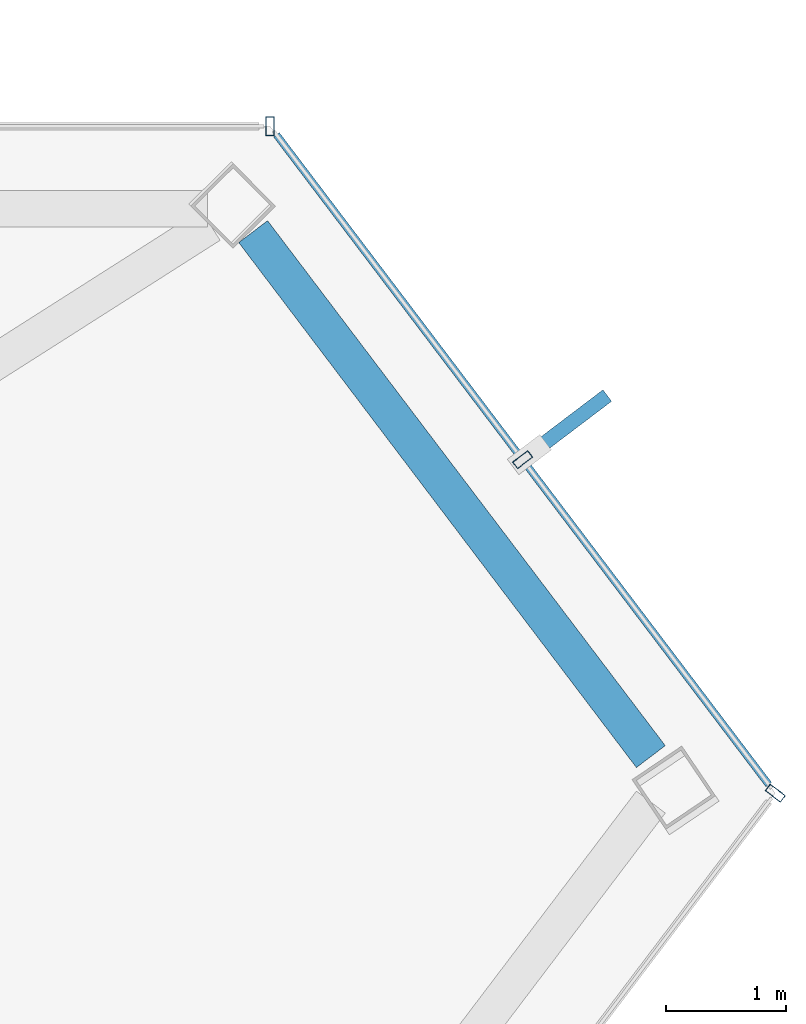
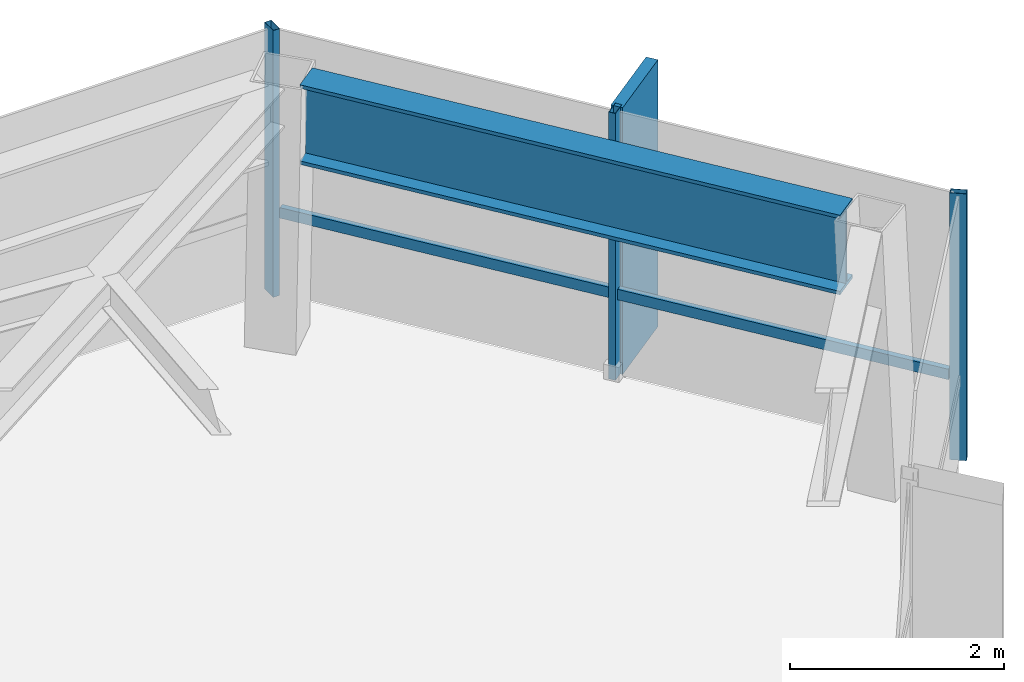
# One storey, part 20 of 24: 5 members, 1 beam, 3 elements without a shape of their own.
"""IFC4 building model written with IfcOpenShell, lengths in metres."""

from ifc_helpers import new_model, si_unit, direction, frame, origin, origin_2d, place, context, subcontext, project, spatial, rectangle, hollow_rectangle, i_section, extrude, material, layer, layer_set, material_profile, profile_set, type_object, element, aggregate, save


model = new_model("IFC4")

# Units and contexts
model_context = context("Model", 3, precision=1e-05, world=origin(), true_north=direction((0.0, 1.0)))
body_context = subcontext(model_context, "Body", "Model", "MODEL_VIEW")
ifc_project = project(units=[si_unit("LENGTHUNIT", "METRE"), si_unit("AREAUNIT", "SQUARE_METRE"), si_unit("VOLUMEUNIT", "CUBIC_METRE"), si_unit("PLANEANGLEUNIT", "RADIAN"), si_unit("MASSUNIT", "GRAM", prefix="KILO")], contexts=[model_context])

# Site, building, storey
site_placement = place(None, origin())
site = spatial("IfcSite", under=ifc_project, at=site_placement, CompositionType="ELEMENT")
building_placement = place(site_placement, origin())
building = spatial("IfcBuilding", under=site, at=building_placement, Name="Zarrinselat Tower", CompositionType="ELEMENT")
storey_placement = place(building_placement, frame((0.0, 0.0, 249.56005859375)))
storey = spatial("IfcBuildingStorey", under=building, at=storey_placement, Name="L63", CompositionType="ELEMENT", Elevation=249.56005859375)

# Beam
ifc_material_1 = material(Name="Steel S460M", Category="steel")
ifc_material_profile_1 = material_profile(ifc_material_1, i_section(OverallWidth=0.302001953125, OverallDepth=0.909912109375, WebThickness=0.02099609375, FlangeThickness=0.0400390625, at=origin_2d()), Name="HEM 900")
ifc_profile_set_1 = profile_set([ifc_material_profile_1], Name="Steel S460M")
beam_type = type_object("IfcBeamType", Name="BM-HEM900", PredefinedType="BEAM", material=ifc_profile_set_1)
beam_placement = place(storey_placement, frame((57.05908203125, 47.06591796875, 2.594970703125), z_axis=(0.603828574263, -0.797114203175, 0.0), x_axis=(0.797114203175, 0.603828574263, 0.0)))
element("IfcBeam", 1, at=beam_placement, inside=storey, type_object=beam_type, Name="L63 Perimeter Spandrel Girder SP15", PredefinedType="BEAM", context=body_context, shape_type="SweptSolid", body=[
    extrude(i_section(OverallWidth=0.302001953125, OverallDepth=0.909912109375, WebThickness=0.02099609375, FlangeThickness=0.0400390625, at=origin_2d()), origin(), (0.0, 0.0, 1.0), 5.489501953125),
])

# Curtain wall, member
ifc_material_2 = material(Name="Extruded Aluminium Alloy EN AW-6063 T6", Category="aluminium")
ifc_layer = layer(ifc_material_2, 0.169921875)
ifc_layer_set = layer_set([ifc_layer], Name="Extruded Aluminium Alloy EN AW-6063 T6")
curtain_wall_type = type_object("IfcCurtainWallType", Name="CWS-RES", PredefinedType="NOTDEFINED", material=ifc_layer_set)
curtain_wall_1_placement = place(storey_placement, origin())
curtain_wall_1 = element("IfcCurtainWall", 2, at=curtain_wall_1_placement, inside=storey, type_object=curtain_wall_type, Name="L63 Unitised Curtain Wall CW-L63-E01", PredefinedType="NOTDEFINED")
ifc_material_3 = material(Name="Extruded Aluminium Alloy EN AW-6063 T6", Category="aluminium")
ifc_material_profile_2 = material_profile(ifc_material_3, hollow_rectangle(XDim=0.070068359375, YDim=0.159912109375, WallThickness=0.00390625, at=origin_2d()), Name="RHS 160x70x4")
ifc_profile_set_2 = profile_set([ifc_material_profile_2], Name="Extruded Aluminium Alloy EN AW-6063 T6")
member_type_1 = type_object("IfcMemberType", Name="MEM-CW-MUL2", PredefinedType="MULLION", material=ifc_profile_set_2)
member_1_placement = place(storey_placement, frame((57.19970703125, 47.944580078125, 0.0), z_axis=(0.0, 0.0, 1.0), x_axis=(-1.0, 0.0, 0.0)))
member_1 = element("IfcMember", 3, at=member_1_placement, type_object=member_type_1, Name="CW-L63-E01 Mullion 0", PredefinedType="MULLION", context=body_context, shape_type="SweptSolid", body=[
    extrude(hollow_rectangle(XDim=0.070068359375, YDim=0.159912109375, WallThickness=0.00390625, at=origin_2d()), origin(), (0.0, 0.0, 1.0), 3.050048828125),
])
aggregate(curtain_wall_1, [member_1])

curtain_wall_2_placement = place(storey_placement, origin())
curtain_wall_2 = element("IfcCurtainWall", 4, at=curtain_wall_2_placement, inside=storey, type_object=curtain_wall_type, Name="L63 Unitised Curtain Wall CW-L63-E05", PredefinedType="NOTDEFINED")
member_2_placement = place(storey_placement, frame((61.410888671875, 42.385498046875, 0.0), z_axis=(0.0, 0.0, 1.0), x_axis=(0.603855865899, 0.797093528527, 0.0)))
member_2 = element("IfcMember", 5, at=member_2_placement, type_object=member_type_1, Name="CW-L63-E05 Mullion 8", PredefinedType="MULLION", context=body_context, shape_type="SweptSolid", body=[
    extrude(hollow_rectangle(XDim=0.070068359375, YDim=0.159912109375, WallThickness=0.00390625, at=origin_2d()), origin(), (0.0, 0.0, 1.0), 3.050048828125),
])
aggregate(curtain_wall_2, [member_2])

# Curtain wall, members
curtain_wall_3_placement = place(storey_placement, origin())
curtain_wall_3 = element("IfcCurtainWall", 6, at=curtain_wall_3_placement, inside=storey, type_object=curtain_wall_type, Name="L63 Unitised Curtain Wall CW-L63-E06", PredefinedType="NOTDEFINED")
member_3_placement = place(storey_placement, frame((59.305419921875, 45.1650390625, 0.0), z_axis=(0.0, 0.0, 1.0), x_axis=(-0.603849681802, 0.797098213389, 0.0)))
member_3 = element("IfcMember", 7, at=member_3_placement, type_object=member_type_1, Name="CW-L63-E06 Mullion 1", PredefinedType="MULLION", context=body_context, shape_type="SweptSolid", body=[
    extrude(hollow_rectangle(XDim=0.070068359375, YDim=0.159912109375, WallThickness=0.00390625, at=origin_2d()), origin(), (0.0, 0.0, 1.0), 3.050048828125),
])
ifc_material_4 = material(Name="Extruded Aluminium Alloy EN AW-6063 T6", Category="aluminium")
ifc_material_profile_3 = material_profile(ifc_material_4, hollow_rectangle(XDim=0.06005859375, YDim=0.1201171875, WallThickness=0.00390625, at=origin_2d()), Name="RHS 120x60x4")
ifc_profile_set_3 = profile_set([ifc_material_profile_3], Name="Extruded Aluminium Alloy EN AW-6063 T6")
member_type_2 = type_object("IfcMemberType", Name="MEM-CW-TRN2", PredefinedType="USERDEFINED", material=ifc_profile_set_3)
member_4_placement = place(storey_placement, frame((61.356689453125, 42.457275390625, 0.949951171875), z_axis=(-0.603868065568, 0.79708428625, 0.0), x_axis=(-0.79708428625, -0.603868065568, 0.0)))
member_4 = element("IfcMember", 8, at=member_4_placement, type_object=member_type_2, Name="CW-L63-E06 Transom 1", ObjectType="TRANSOM", PredefinedType="USERDEFINED", context=body_context, shape_type="SweptSolid", body=[
    extrude(hollow_rectangle(XDim=0.06005859375, YDim=0.1201171875, WallThickness=0.00390625, at=origin_2d()), origin(), (0.0, 0.0, 1.0), 6.794189453125),
])
ifc_material_5 = material(Name="Honed Cream Travertine Stone", Category="masonry")
ifc_material_profile_4 = material_profile(ifc_material_5, rectangle(XDim=0.1201171875, YDim=0.85009765625, at=origin_2d()), Name="FIN 850x120")
ifc_profile_set_4 = profile_set([ifc_material_profile_4], Name="Honed Cream Travertine Stone")
member_type_3 = type_object("IfcMemberType", Name="MEM-STONE-FIN", PredefinedType="USERDEFINED", material=ifc_profile_set_4)
member_5_placement = place(storey_placement, frame((59.672119140625, 45.44287109375, 0.0), z_axis=(0.0, 0.0, 1.0), x_axis=(0.603849681802, -0.797098213389, 0.0)))
member_5 = element("IfcMember", 9, at=member_5_placement, type_object=member_type_3, Name="L63 Stone Shading Fin CW-L63-E06-01", ObjectType="FIN", PredefinedType="USERDEFINED", context=body_context, shape_type="SweptSolid", body=[
    extrude(rectangle(XDim=0.1201171875, YDim=0.85009765625, at=origin_2d()), origin(), (0.0, 0.0, 1.0), 3.050048828125),
])
aggregate(curtain_wall_3, [member_3, member_5, member_4])

save(model, "model.ifc")
